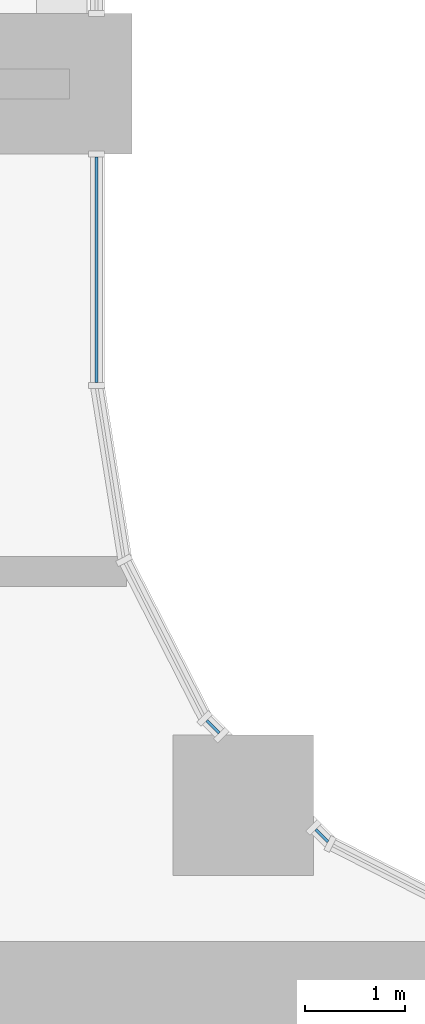
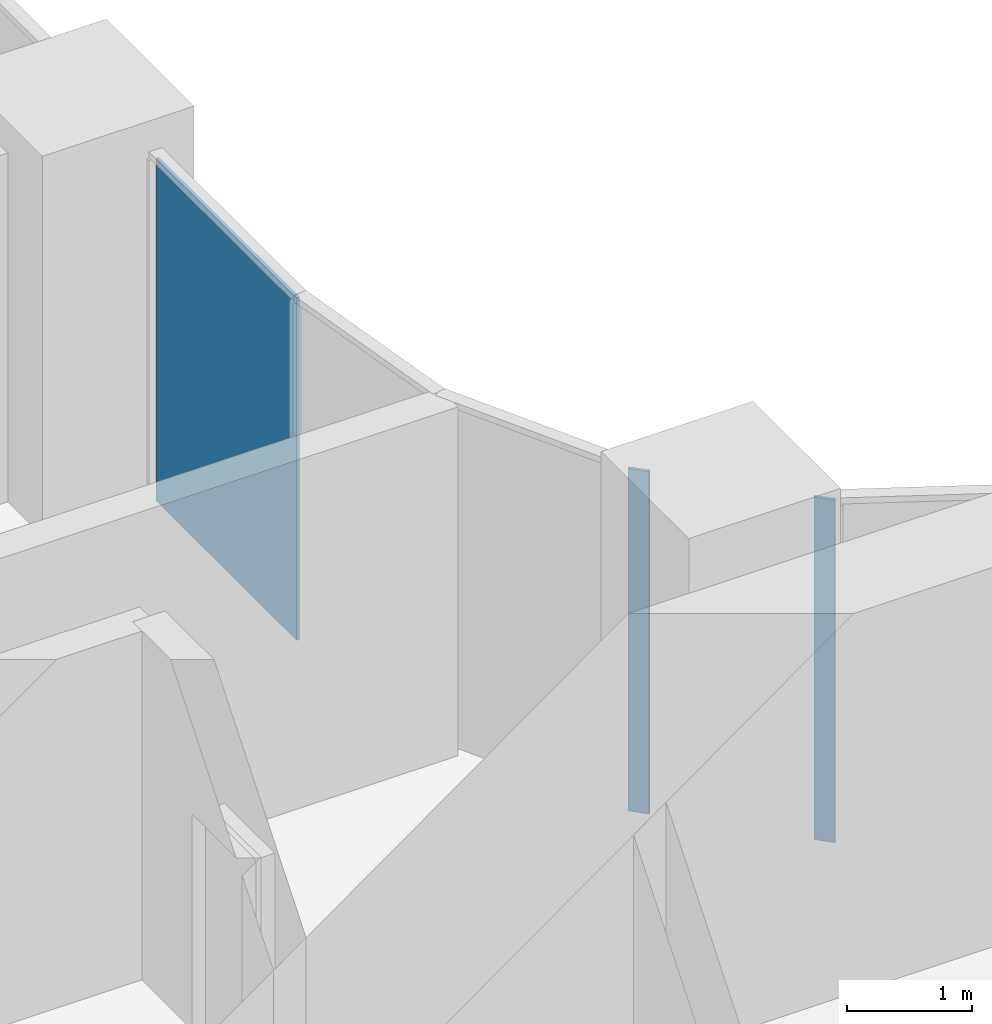
# One storey, part 10 of 30: 3 plates, 3 elements without a shape of their own.
"""IFC4 building model written with IfcOpenShell, lengths in metres."""

from ifc_helpers import new_model, si_unit, direction, frame, origin, origin_2d, place, context, subcontext, project, spatial, rectangle, extrude, material, layer, layer_set, type_object, element, aggregate, save


model = new_model("IFC4")

# Units and contexts
model_context = context("Model", 3, precision=1e-05, world=origin(), true_north=direction((0.0, 1.0)))
body_context = subcontext(model_context, "Body", "Model", "MODEL_VIEW")
ifc_project = project(units=[si_unit("LENGTHUNIT", "METRE"), si_unit("AREAUNIT", "SQUARE_METRE"), si_unit("VOLUMEUNIT", "CUBIC_METRE"), si_unit("PLANEANGLEUNIT", "RADIAN"), si_unit("MASSUNIT", "GRAM", prefix="KILO")], contexts=[model_context])

# Site, building, storey
site_placement = place(None, origin())
site = spatial("IfcSite", under=ifc_project, at=site_placement, CompositionType="ELEMENT")
building_placement = place(site_placement, origin())
building = spatial("IfcBuilding", under=site, at=building_placement, Name="Ogive Portal Towers", CompositionType="ELEMENT")
storey_placement = place(building_placement, frame((0.0, 0.0, 37.199951171875)))
storey = spatial("IfcBuildingStorey", under=building, at=storey_placement, Name="L07", CompositionType="ELEMENT", Elevation=37.199951171875)

# Curtain wall, plate
ifc_material = material(Name="Glass, clear low-iron insulated glazing", Category="glass")
curtain_wall_type = type_object("IfcCurtainWallType", Name="CW FRONT RIBBON 4500", PredefinedType="NOTDEFINED", material=ifc_material)
curtain_wall_1_placement = place(storey_placement, origin())
curtain_wall_1 = element("IfcCurtainWall", 1, at=curtain_wall_1_placement, inside=storey, type_object=curtain_wall_type, Name="A:L07:f06:cw0~0", PredefinedType="NOTDEFINED")
ifc_layer = layer(ifc_material, 0.028076171875)
ifc_layer_set = layer_set([ifc_layer], Name="CW PANEL IGU 28")
plate_type = type_object("IfcPlateType", Name="CW PANEL IGU 28", PredefinedType="CURTAIN_PANEL", material=ifc_layer_set)
plate_1_placement = place(storey_placement, frame((49.844970703125, 46.64697265625, 0.0), z_axis=(0.0, 0.0, 1.0), x_axis=(0.0, 1.0, 0.0)))
plate_1 = element("IfcPlate", 2, at=plate_1_placement, type_object=plate_type, Name="panel", PredefinedType="CURTAIN_PANEL", context=body_context, shape_type="SweptSolid", body=[
    extrude(rectangle(XDim=2.246337890625, YDim=0.028076171875, at=origin_2d()), origin(), (0.0, 0.0, 1.0), 3.340087890625),
])
aggregate(curtain_wall_1, [plate_1])

curtain_wall_2_placement = place(storey_placement, origin())
curtain_wall_2 = element("IfcCurtainWall", 3, at=curtain_wall_2_placement, inside=storey, type_object=curtain_wall_type, Name="A:L07:f02:cwa~0", PredefinedType="NOTDEFINED")
plate_2_placement = place(storey_placement, frame((52.0927734375, 41.0068359375, 0.0), z_axis=(0.0, 0.0, 1.0), x_axis=(-0.707106781187, 0.707106781187, 0.0)))
plate_2 = element("IfcPlate", 4, at=plate_2_placement, type_object=plate_type, Name="panel", PredefinedType="CURTAIN_PANEL", context=body_context, shape_type="SweptSolid", body=[
    extrude(rectangle(XDim=0.174072265625, YDim=0.028076171875, at=origin_2d()), origin(), (0.0, 0.0, 1.0), 3.340087890625),
])
aggregate(curtain_wall_2, [plate_2])

curtain_wall_3_placement = place(storey_placement, origin())
curtain_wall_3 = element("IfcCurtainWall", 5, at=curtain_wall_3_placement, inside=storey, type_object=curtain_wall_type, Name="A:L07:f02:cwa~1", PredefinedType="NOTDEFINED")
plate_3_placement = place(storey_placement, frame((51.0068359375, 42.0927734375, 0.0), z_axis=(0.0, 0.0, 1.0), x_axis=(-0.707106781187, 0.707106781187, 0.0)))
plate_3 = element("IfcPlate", 6, at=plate_3_placement, type_object=plate_type, Name="panel", PredefinedType="CURTAIN_PANEL", context=body_context, shape_type="SweptSolid", body=[
    extrude(rectangle(XDim=0.174072265625, YDim=0.028076171875, at=origin_2d()), origin(), (0.0, 0.0, 1.0), 3.340087890625),
])
aggregate(curtain_wall_3, [plate_3])

save(model, "model.ifc")
